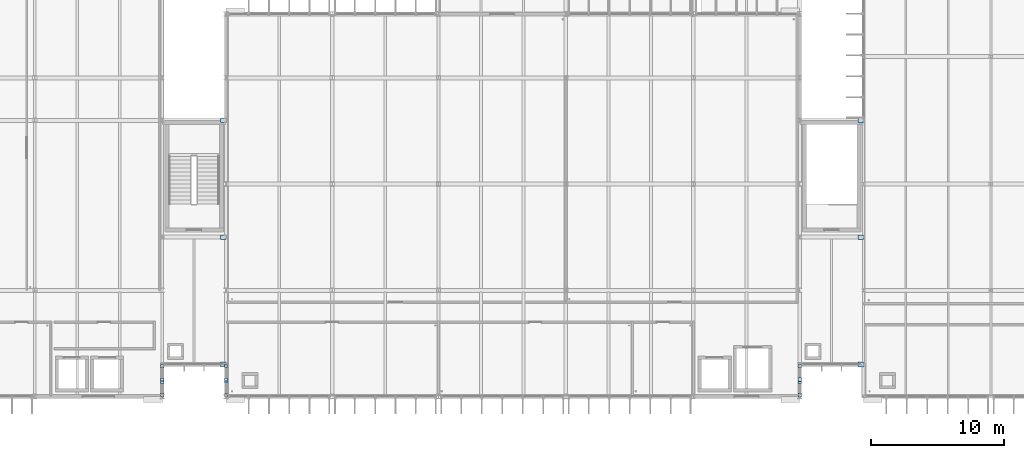
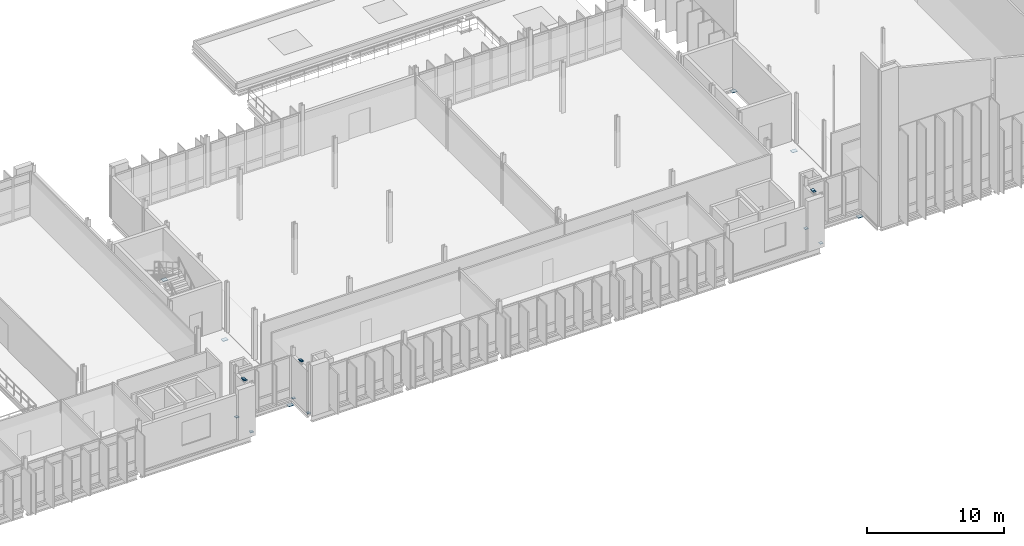
# One storey, part 60 of 110: 18 plates.
"""IFC4 building model written with IfcOpenShell, lengths in metres."""

from ifc_helpers import new_model, si_unit, direction, frame, origin, origin_2d, place, context, subcontext, project, spatial, rectangle, extrude, material, layer, layer_set, type_object, element, save


model = new_model("IFC4")

# Units and contexts
model_context = context("Model", 3, precision=1e-05, world=origin(), true_north=direction((0.0, 1.0)))
body_context = subcontext(model_context, "Body", "Model", "MODEL_VIEW")
ifc_project = project(units=[si_unit("LENGTHUNIT", "METRE"), si_unit("AREAUNIT", "SQUARE_METRE"), si_unit("VOLUMEUNIT", "CUBIC_METRE"), si_unit("PLANEANGLEUNIT", "RADIAN"), si_unit("MASSUNIT", "GRAM", prefix="KILO")], contexts=[model_context])

# Site, building, storey
site_placement = place(None, origin())
site = spatial("IfcSite", under=ifc_project, at=site_placement, CompositionType="ELEMENT")
building_placement = place(site_placement, origin())
building = spatial("IfcBuilding", under=site, at=building_placement, Name="Dunescarp Central Library", CompositionType="ELEMENT")
storey_placement = place(building_placement, frame((0.0, 0.0, 9.60009765625)))
storey = spatial("IfcBuildingStorey", under=building, at=storey_placement, Name="L02", CompositionType="ELEMENT", Elevation=9.60009765625)

# Plates
ifc_material = material(Name="Steel S355J0", Category="steel")
ifc_layer_1 = layer(ifc_material, 0.02001953125)
ifc_layer_set_1 = layer_set([ifc_layer_1], Name="Steel S355J0")
plate_type_1 = type_object("IfcPlateType", Name="STR-PLT-GUS1", PredefinedType="USERDEFINED", material=ifc_layer_set_1)
for number, where, z_axis, x_axis, name in (
    (1, (76.800048828125, 4.919921875, -0.01806640625), (0.0, 0.0, 1.0), (1.0, 0.0, 0.0), "Brace foot gusset plate GP-053"),
    (2, (76.800048828125, 7.080078125, -0.01806640625), (0.0, 0.0, 1.0), (1.0, 0.0, 0.0), "Brace foot gusset plate GP-055"),
):
    element("IfcPlate", number, at=place(storey_placement, frame(where, z_axis=z_axis, x_axis=x_axis)), inside=storey, type_object=plate_type_1, Name=name, ObjectType="GUSSET_PLATE", PredefinedType="USERDEFINED", context=body_context, shape_type="SweptSolid", body=[
        extrude(rectangle(XDim=0.25390625, YDim=0.25390625, at=origin_2d()), origin(), (0.0, 0.0, 1.0), 0.035888671875),
    ])
for number, where, z_axis, x_axis, name in (
    (3, (81.60009765625, 4.919921875, -0.01806640625), (0.0, 0.0, 1.0), (1.0, 0.0, 0.0), "Brace foot gusset plate GP-073"),
    (4, (81.60009765625, 7.080078125, -0.01806640625), (0.0, 0.0, 1.0), (1.0, 0.0, 0.0), "Brace foot gusset plate GP-075"),
):
    element("IfcPlate", number, at=place(storey_placement, frame(where, z_axis=z_axis, x_axis=x_axis)), inside=storey, type_object=plate_type_1, Name=name, ObjectType="GUSSET_PLATE", PredefinedType="USERDEFINED", context=body_context, shape_type="SweptSolid", body=[
        extrude(rectangle(XDim=0.22802734375, YDim=0.22802734375, at=origin_2d()), origin(), (0.0, 0.0, 1.0), 0.035888671875),
    ])
for number, where, z_axis, x_axis, name in (
    (5, (124.800048828125, 4.919921875, -0.01806640625), (0.0, 0.0, 1.0), (1.0, 0.0, 0.0), "Brace foot gusset plate GP-089"),
    (6, (124.800048828125, 7.080078125, -0.01806640625), (0.0, 0.0, 1.0), (1.0, 0.0, 0.0), "Brace foot gusset plate GP-091"),
):
    element("IfcPlate", number, at=place(storey_placement, frame(where, z_axis=z_axis, x_axis=x_axis)), inside=storey, type_object=plate_type_1, Name=name, ObjectType="GUSSET_PLATE", PredefinedType="USERDEFINED", context=body_context, shape_type="SweptSolid", body=[
        extrude(rectangle(XDim=0.279052734375, YDim=0.279052734375, at=origin_2d()), origin(), (0.0, 0.0, 1.0), 0.035888671875),
    ])
ifc_layer_2 = layer(ifc_material, 0.01611328125)
ifc_layer_set_2 = layer_set([ifc_layer_2], Name="Steel S355J0")
plate_type_2 = type_object("IfcPlateType", Name="STR-PLT-GUS2", PredefinedType="USERDEFINED", material=ifc_layer_set_2)
for number, where, z_axis, x_axis, name in (
    (7, (76.800048828125, 5.919921875, 4.001953125), (0.0, 0.0, 1.0), (1.0, 0.0, 0.0), "Brace apex gusset plate GP-054"),
    (8, (76.800048828125, 6.080078125, 4.001953125), (0.0, 0.0, 1.0), (1.0, 0.0, 0.0), "Brace apex gusset plate GP-056"),
):
    element("IfcPlate", number, at=place(storey_placement, frame(where, z_axis=z_axis, x_axis=x_axis)), inside=storey, type_object=plate_type_2, Name=name, ObjectType="GUSSET_PLATE", PredefinedType="USERDEFINED", context=body_context, shape_type="SweptSolid", body=[
        extrude(rectangle(XDim=0.25390625, YDim=0.25390625, at=origin_2d()), origin(), (0.0, 0.0, 1.0), 0.035888671875),
    ])
for number, where, z_axis, x_axis, name in (
    (9, (81.60009765625, 5.919921875, 4.001953125), (0.0, 0.0, 1.0), (1.0, 0.0, 0.0), "Brace apex gusset plate GP-074"),
    (10, (81.60009765625, 6.080078125, 4.001953125), (0.0, 0.0, 1.0), (1.0, 0.0, 0.0), "Brace apex gusset plate GP-076"),
):
    element("IfcPlate", number, at=place(storey_placement, frame(where, z_axis=z_axis, x_axis=x_axis)), inside=storey, type_object=plate_type_2, Name=name, ObjectType="GUSSET_PLATE", PredefinedType="USERDEFINED", context=body_context, shape_type="SweptSolid", body=[
        extrude(rectangle(XDim=0.22802734375, YDim=0.22802734375, at=origin_2d()), origin(), (0.0, 0.0, 1.0), 0.035888671875),
    ])
for number, where, z_axis, x_axis, name in (
    (11, (124.800048828125, 5.919921875, 4.001953125), (0.0, 0.0, 1.0), (1.0, 0.0, 0.0), "Brace apex gusset plate GP-090"),
    (12, (124.800048828125, 6.080078125, 4.001953125), (0.0, 0.0, 1.0), (1.0, 0.0, 0.0), "Brace apex gusset plate GP-092"),
):
    element("IfcPlate", number, at=place(storey_placement, frame(where, z_axis=z_axis, x_axis=x_axis)), inside=storey, type_object=plate_type_2, Name=name, ObjectType="GUSSET_PLATE", PredefinedType="USERDEFINED", context=body_context, shape_type="SweptSolid", body=[
        extrude(rectangle(XDim=0.279052734375, YDim=0.279052734375, at=origin_2d()), origin(), (0.0, 0.0, 1.0), 0.035888671875),
    ])
ifc_layer_3 = layer(ifc_material, 0.0400390625)
ifc_layer_set_3 = layer_set([ifc_layer_3], Name="Steel S355J0")
plate_type_3 = type_object("IfcPlateType", Name="STR-PLT-SEAT420", PredefinedType="USERDEFINED", material=ifc_layer_set_3)
for number, where, z_axis, x_axis, name in (
    (13, (81.389892578125, 7.199951171875, -0.64013671875), (0.0, 0.0, 1.0), (1.0, 0.0, 0.0), "L02 GL2 420 mm sliding link bearing seat BRG-02"),
    (14, (81.389892578125, 16.800048828125, -0.64013671875), (0.0, 0.0, 1.0), (1.0, 0.0, 0.0), "L02 GL2 420 mm sliding link bearing seat BRG-02"),
    (15, (81.389892578125, 25.60009765625, -0.64013671875), (0.0, 0.0, 1.0), (1.0, 0.0, 0.0), "L02 GL2 420 mm sliding link bearing seat BRG-02"),
    (16, (129.389892578125, 7.199951171875, -0.64013671875), (0.0, 0.0, 1.0), (1.0, 0.0, 0.0), "L02 GL3 420 mm sliding link bearing seat BRG-03"),
    (17, (129.389892578125, 16.800048828125, -0.64013671875), (0.0, 0.0, 1.0), (1.0, 0.0, 0.0), "L02 GL3 420 mm sliding link bearing seat BRG-03"),
    (18, (129.389892578125, 25.60009765625, -0.64013671875), (0.0, 0.0, 1.0), (1.0, 0.0, 0.0), "L02 GL3 420 mm sliding link bearing seat BRG-03"),
):
    element("IfcPlate", number, at=place(storey_placement, frame(where, z_axis=z_axis, x_axis=x_axis)), inside=storey, type_object=plate_type_3, Name=name, ObjectType="BASE_PLATE", PredefinedType="USERDEFINED", context=body_context, shape_type="SweptSolid", body=[
        extrude(rectangle(XDim=0.419921875, YDim=0.360107421875, at=origin_2d()), origin(), (0.0, 0.0, 1.0), 0.0400390625),
    ])

save(model, "model.ifc")
